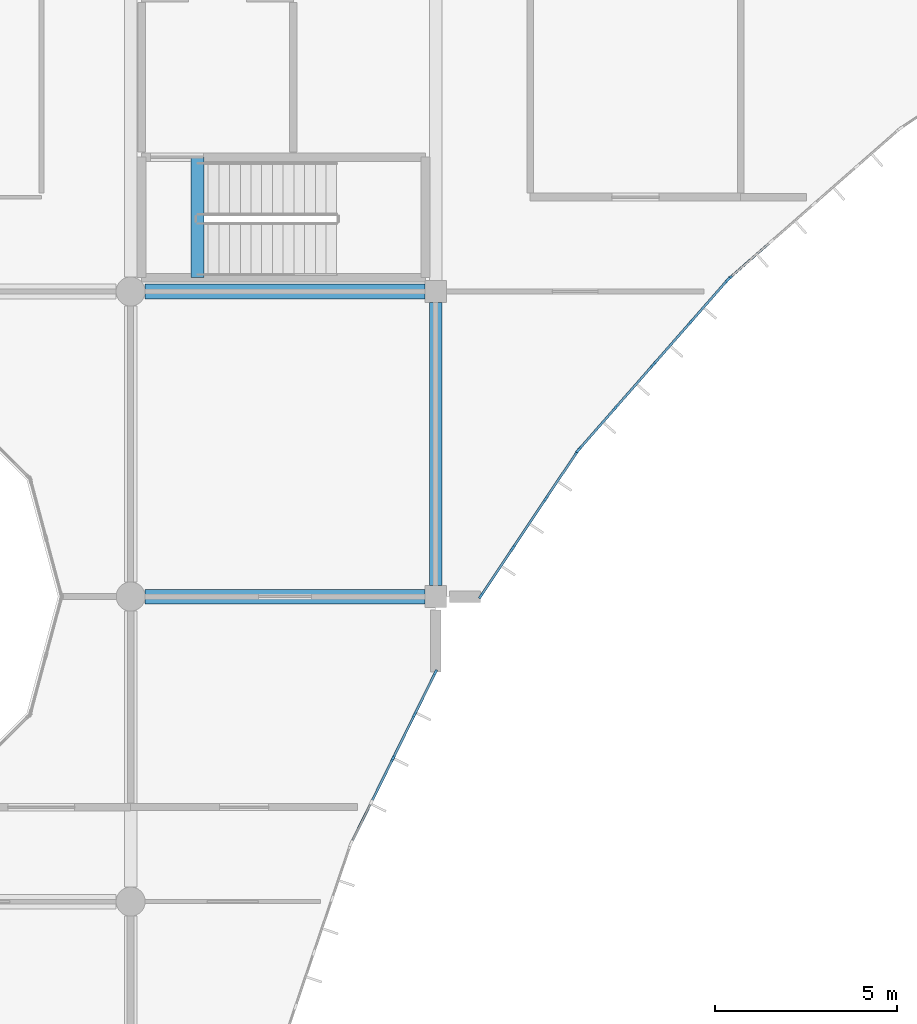
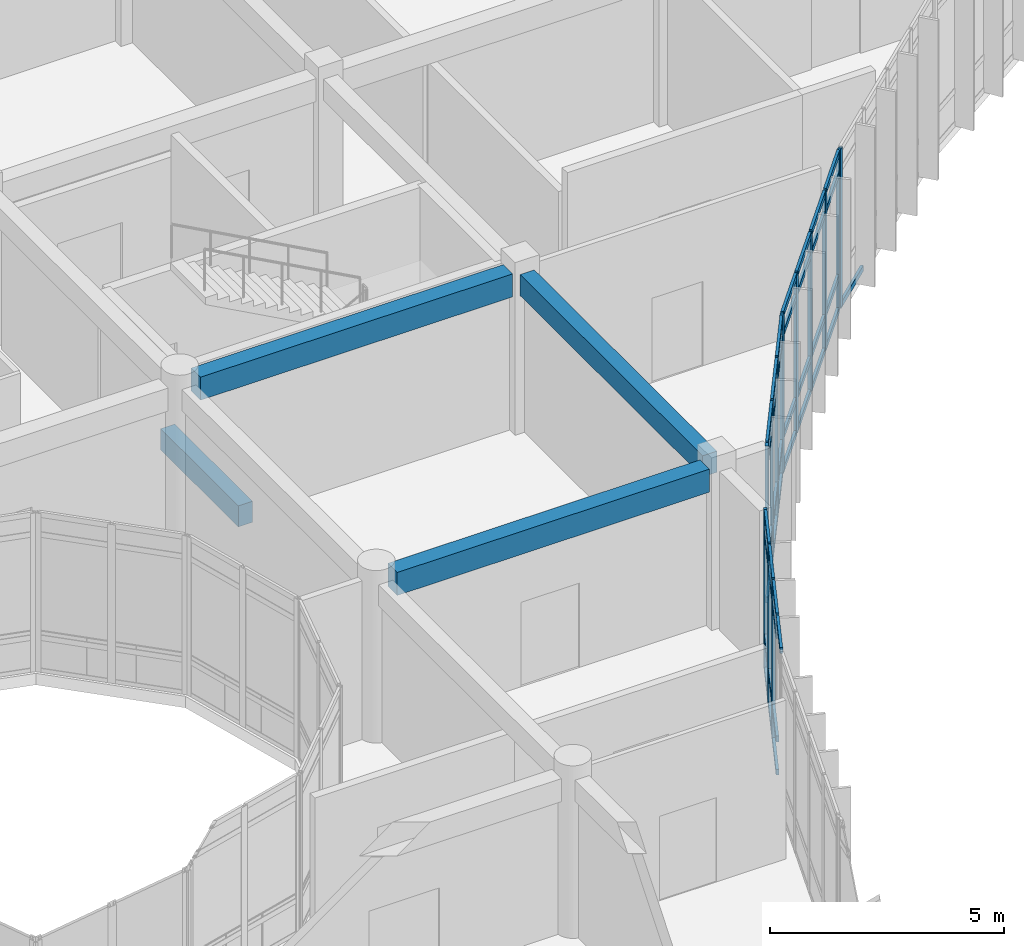
# One storey, part 63 of 144: 55 members, 4 beams, 4 elements without a shape of their own.
"""IFC4 building model written with IfcOpenShell, lengths in metres."""

import ifcopenshell
import ifcopenshell.guid

model = None  # the IFC model being written
_history = None  # IfcOwnerHistory: only IFC2X3 demands one
_inside = {}  # id of a spatial element -> (the spatial element, [elements in it])
_under = {}  # id of a project, library or spatial element -> (it, [spatial elements below it])
_declared = {}  # id of a project -> (the project, [libraries it declares])
_typed = {}  # id of a type object -> (the type object, [elements of that type])
_made_of = {}  # id of a material, layer set ... -> (it, [elements and type objects made of it])


def new_model(schema):
    """Start an empty IFC model of exactly this schema.

    Asked for "IFC4X3", IfcOpenShell would pick the latest addendum, in which some entities
    have other attributes; the version numbers below select the first issue.
    IFC2X3 requires an IfcOwnerHistory on every rooted entity: one is made here for all.
    """
    global model, _history
    if schema == "IFC4X3":
        model = ifcopenshell.file(schema_version=(4, 3, 0, 0))
    else:
        model = ifcopenshell.file(schema=schema)
    _inside.clear()
    _under.clear()
    _declared.clear()
    _typed.clear()
    _made_of.clear()
    _history = None
    if model.schema == "IFC2X3":
        org = make("IfcOrganization", Name="unknown")
        user = make(
            "IfcPersonAndOrganization",
            ThePerson=make("IfcPerson", FamilyName="unknown"),
            TheOrganization=org,
        )
        app = make(
            "IfcApplication",
            ApplicationDeveloper=org,
            Version="unknown",
            ApplicationFullName="unknown",
            ApplicationIdentifier="unknown",
        )
        _history = make(
            "IfcOwnerHistory",
            OwningUser=user,
            OwningApplication=app,
            ChangeAction="ADDED",
            CreationDate=0,
        )
    return model


def make(cls, **values):
    """One entity of the class cls with the attributes given. An attribute that is None is left unset."""
    return model.create_entity(
        cls, **{name: value for name, value in values.items() if value is not None}
    )


def rooted(cls, **values):
    """An entity with a GlobalId (a new one), such as an element, a storey or a relation."""
    return make(cls, GlobalId=ifcopenshell.guid.new(), OwnerHistory=_history, **values)


def si_unit(unit_type, name, prefix=None):
    """IfcSIUnit, for example si_unit("LENGTHUNIT", "METRE", prefix="MILLI")."""
    return make("IfcSIUnit", UnitType=unit_type, Prefix=prefix, Name=name)


def assignment(units):
    """IfcUnitAssignment: the units of a project."""
    return None if units is None else make("IfcUnitAssignment", Units=units)


def point(xyz):
    """IfcCartesianPoint."""
    return None if xyz is None else make("IfcCartesianPoint", Coordinates=xyz)


def direction(xyz):
    """IfcDirection."""
    return None if xyz is None else make("IfcDirection", DirectionRatios=xyz)


def frame(location, z_axis=None, x_axis=None):
    """IfcAxis2Placement3D, a coordinate frame: its origin and axes. An axis left out is left unset."""
    return make(
        "IfcAxis2Placement3D",
        Location=point(location),
        Axis=direction(z_axis),
        RefDirection=direction(x_axis),
    )


def frame_2d(location, x_axis=None):
    """IfcAxis2Placement2D, a coordinate frame in the plane: its origin and x axis."""
    return make(
        "IfcAxis2Placement2D", Location=point(location), RefDirection=direction(x_axis)
    )


def origin():
    """The frame at (0, 0, 0) with its axes left unset."""
    return frame((0.0, 0.0, 0.0))


def origin_2d():
    """The frame at (0, 0) in the plane with its x axis left unset."""
    return frame_2d((0.0, 0.0))


def place(relative_to, where):
    """IfcLocalPlacement: puts the frame where relative to a parent placement (None: the world)."""
    return make(
        "IfcLocalPlacement", PlacementRelTo=relative_to, RelativePlacement=where
    )


def context(
    kind, dimensions, precision=None, world=None, true_north=None, identifier=None
):
    """IfcGeometricRepresentationContext, for example the 3D "Model" context."""
    return make(
        "IfcGeometricRepresentationContext",
        ContextIdentifier=identifier,
        ContextType=kind,
        CoordinateSpaceDimension=dimensions,
        Precision=precision,
        WorldCoordinateSystem=world,
        TrueNorth=true_north,
    )


def subcontext(parent, identifier, kind, view, scale=None):
    """IfcGeometricRepresentationSubContext, for example "Body" below "Model"."""
    return make(
        "IfcGeometricRepresentationSubContext",
        ContextIdentifier=identifier,
        ContextType=kind,
        ParentContext=parent,
        TargetScale=scale,
        TargetView=view,
    )


def project(units=None, contexts=None):
    """IfcProject with its units and contexts."""
    return rooted(
        "IfcProject",
        Name="project",
        RepresentationContexts=contexts,
        UnitsInContext=assignment(units),
    )


def spatial(cls, under=None, at=None, **own):
    """A site, building, storey or space (cls), placed at a placement, below another one or the project."""
    s = rooted(cls, ObjectPlacement=at, **own)
    if under is not None:
        _under.setdefault(under.id(), (under, []))[1].append(s)
    return s


def profile(cls, at=None, kind="AREA", **sizes):
    """A parametric profile (cls). Its sizes go by their IFC names, for example OverallWidth=200.0."""
    return make(cls, ProfileType=kind, Position=at, **sizes)


def rectangle(**sizes):
    """IfcRectangleProfileDef."""
    return profile("IfcRectangleProfileDef", **sizes)


def extrude(swept, where, along, depth):
    """IfcExtrudedAreaSolid: the profile swept, set in the frame where, extruded along a direction by depth."""
    return make(
        "IfcExtrudedAreaSolid",
        SweptArea=swept,
        Position=where,
        ExtrudedDirection=direction(along),
        Depth=depth,
    )


def shape(context_of_items, identifier, shape_type, items):
    """IfcShapeRepresentation: the items that make up one representation, for example the "Body"."""
    return make(
        "IfcShapeRepresentation",
        ContextOfItems=context_of_items,
        RepresentationIdentifier=identifier,
        RepresentationType=shape_type,
        Items=items,
    )


def material(Name=None, Category=None):
    """IfcMaterial."""
    return make("IfcMaterial", Name=Name, Category=Category)


def layer(
    of_material, thickness, ventilated=None, Name=None, Category=None, Priority=None
):
    """IfcMaterialLayer: one layer of a wall or slab, of a material (None: an air gap)."""
    return make(
        "IfcMaterialLayer",
        Material=of_material,
        LayerThickness=thickness,
        IsVentilated=ventilated,
        Name=Name,
        Category=Category,
        Priority=Priority,
    )


def layer_set(layers, Name=None):
    """IfcMaterialLayerSet."""
    return make("IfcMaterialLayerSet", MaterialLayers=layers, LayerSetName=Name)


def material_profile(
    of_material, cross_section, Name=None, Category=None, Priority=None
):
    """IfcMaterialProfile: a cross section and its material."""
    return make(
        "IfcMaterialProfile",
        Name=Name,
        Material=of_material,
        Profile=cross_section,
        Priority=Priority,
        Category=Category,
    )


def profile_set(profiles, Name=None, composite=None):
    """IfcMaterialProfileSet."""
    return make(
        "IfcMaterialProfileSet",
        Name=Name,
        MaterialProfiles=profiles,
        CompositeProfile=composite,
    )


def made_of(thing, what):
    """Note that an element or type object is made of a material, layer set ...; save() writes the relation."""
    if what is not None:
        _made_of.setdefault(what.id(), (what, []))[1].append(thing)
    return thing


def type_object(cls, material=None, **own):
    """A type object (cls), such as IfcWallType, which elements share."""
    return made_of(rooted(cls, **own), material)


def element(
    cls,
    number,
    at=None,
    inside=None,
    cuts=None,
    type_object=None,
    material=None,
    context=None,
    identifier="Body",
    shape_type=None,
    held_by="IfcProductDefinitionShape",
    body=None,
    shapes=None,
    **own,
):
    """One element of the class cls, such as IfcWall. Its Tag is "e" and its number.

    at: its placement. inside: the storey or other place that contains it. cuts: it is an
    opening in that element (IfcRelVoidsElement). A single representation is given by context,
    identifier, shape_type and body (its items); several are given by shapes. held_by: the class
    of the entity that holds the representations. save() writes the other relations.
    """
    e = rooted(cls, Tag="e%d" % number, ObjectPlacement=at, **own)
    if body is not None:
        shapes = [shape(context, identifier, shape_type, body)]
    if shapes is not None:
        e.Representation = make(held_by, Representations=shapes)
    if inside is not None:
        _inside.setdefault(inside.id(), (inside, []))[1].append(e)
    if cuts is not None:
        rooted(
            "IfcRelVoidsElement", RelatingBuildingElement=cuts, RelatedOpeningElement=e
        )
    if type_object is not None:
        _typed.setdefault(type_object.id(), (type_object, []))[1].append(e)
    return made_of(e, material)


def aggregate(whole, parts):
    """IfcRelAggregates: a whole, such as a stair, and the parts it consists of."""
    return rooted("IfcRelAggregates", RelatingObject=whole, RelatedObjects=parts)


def save(model, path):
    """Write the relations noted so far, then the file.

    IfcRelAggregates (storeys below a building ...), IfcRelContainedInSpatialStructure (elements
    in a storey), IfcRelDefinesByType, IfcRelAssociatesMaterial and IfcRelDeclares: one each for
    every whole, place, type object, material and project.
    """
    for whole, parts in _under.values():
        aggregate(whole, parts)
    for where, things in _inside.values():
        rooted(
            "IfcRelContainedInSpatialStructure",
            RelatedElements=things,
            RelatingStructure=where,
        )
    for kind, things in _typed.values():
        rooted("IfcRelDefinesByType", RelatedObjects=things, RelatingType=kind)
    for what, things in _made_of.values():
        rooted("IfcRelAssociatesMaterial", RelatedObjects=things, RelatingMaterial=what)
    for by, libraries in _declared.values():
        rooted("IfcRelDeclares", RelatingContext=by, RelatedDefinitions=libraries)
    model.write(path)


model = new_model("IFC4")

# Units and contexts
model_context = context("Model", 3, precision=1e-05, world=origin(), true_north=direction((0.0, 1.0)))
body_context = subcontext(model_context, "Body", "Model", "MODEL_VIEW")
ifc_project = project(units=[si_unit("LENGTHUNIT", "METRE"), si_unit("AREAUNIT", "SQUARE_METRE"), si_unit("VOLUMEUNIT", "CUBIC_METRE"), si_unit("PLANEANGLEUNIT", "RADIAN"), si_unit("MASSUNIT", "GRAM", prefix="KILO")], contexts=[model_context])

# Site, building, storey
site_placement = place(None, origin())
site = spatial("IfcSite", under=ifc_project, at=site_placement, CompositionType="ELEMENT")
building_placement = place(site_placement, origin())
building = spatial("IfcBuilding", under=site, at=building_placement, Name="Bramfleet General Hospital", CompositionType="ELEMENT")
storey_placement = place(building_placement, frame((0.0, 0.0, 4.800048828125)))
storey = spatial("IfcBuildingStorey", under=building, at=storey_placement, Name="L01", CompositionType="ELEMENT", Elevation=4.800048828125)

# Beams
ifc_material_1 = material(Name="Concrete C35/45", Category="concrete")
ifc_material_profile_1 = material_profile(ifc_material_1, rectangle(XDim=0.35009765625, YDim=0.550048828125, at=origin_2d()), Name="RC BM 550x350")
ifc_profile_set_1 = profile_set([ifc_material_profile_1], Name="Concrete C35/45")
beam_type_1 = type_object("IfcBeamType", Name="BM-RC550", PredefinedType="BEAM", material=ifc_profile_set_1)
beam_1_placement = place(storey_placement, frame((134.39990234375, 67.5, 3.875), z_axis=(0.0, 1.0, 0.0), x_axis=(-1.0, 0.0, 0.0)))
element("IfcBeam", 1, at=beam_1_placement, inside=storey, type_object=beam_type_1, Name="L01 Grid Beam Y 16-08", PredefinedType="BEAM", context=body_context, shape_type="SweptSolid", body=[
    extrude(rectangle(XDim=0.35009765625, YDim=0.550048828125, at=origin_2d()), origin(), (0.0, 0.0, 1.0), 7.800048828125),
])
beam_2_placement = place(storey_placement, frame((127.840087890625, 75.97998046875, -0.275146484375), z_axis=(0.0, 1.0, 0.0), x_axis=(-1.0, 0.0, 0.0)))
element("IfcBeam", 2, at=beam_2_placement, inside=storey, type_object=beam_type_1, Name="L01 C12 Stairwell Trimmer Beam", PredefinedType="BEAM", context=body_context, shape_type="SweptSolid", body=[
    extrude(rectangle(XDim=0.35009765625, YDim=0.550048828125, at=origin_2d()), origin(), (0.0, 0.0, 1.0), 3.320068359375),
])
ifc_material_profile_2 = material_profile(ifc_material_1, rectangle(XDim=0.39990234375, YDim=0.60009765625, at=origin_2d()), Name="RC BM 600x400")
ifc_profile_set_2 = profile_set([ifc_material_profile_2], Name="Concrete C35/45")
beam_type_2 = type_object("IfcBeamType", Name="BM-RC600", PredefinedType="BEAM", material=ifc_profile_set_2)
for number, where, z_axis, x_axis, name in (
    (3, (126.39990234375, 67.199951171875, 3.849853515625), (1.0, 0.0, 0.0), (0.0, 1.0, 0.0), "L01 Grid Beam X 15-08"),
    (4, (126.39990234375, 75.60009765625, 3.849853515625), (1.0, 0.0, 0.0), (0.0, 1.0, 0.0), "L01 Grid Beam X 15-09"),
):
    element("IfcBeam", number, at=place(storey_placement, frame(where, z_axis=z_axis, x_axis=x_axis)), inside=storey, type_object=beam_type_2, Name=name, PredefinedType="BEAM", context=body_context, shape_type="SweptSolid", body=[
        extrude(rectangle(XDim=0.39990234375, YDim=0.60009765625, at=origin_2d()), origin(), (0.0, 0.0, 1.0), 7.7001953125),
    ])

# Curtain wall, member
ifc_material_2 = material(Name="Anodised aluminium and low-E triple glazing", Category="aluminium")
ifc_layer_1 = layer(ifc_material_2, 0.179931640625, Name="CWT-CW-02")
ifc_layer_set_1 = layer_set([ifc_layer_1], Name="Anodised aluminium and low-E triple glazing")
curtain_wall_type_1 = type_object("IfcCurtainWallType", Name="CWT-CW-02", PredefinedType="USERDEFINED", material=ifc_layer_set_1)
curtain_wall_1_placement = place(storey_placement, origin())
curtain_wall_1 = element("IfcCurtainWall", 5, at=curtain_wall_1_placement, inside=storey, type_object=curtain_wall_type_1, Name="L01 Curtain Wall 56", ObjectType="Unitised curtain wall", PredefinedType="USERDEFINED")
ifc_material_3 = material(Name="Structural timber GL28h", Category="wood")
ifc_material_profile_3 = material_profile(ifc_material_3, rectangle(XDim=0.070068359375, YDim=0.18994140625, at=origin_2d()), Name="LARCH 190x70")
ifc_profile_set_3 = profile_set([ifc_material_profile_3], Name="Structural timber GL28h")
member_type_1 = type_object("IfcMemberType", Name="CWM-LARCH450", PredefinedType="MULLION", material=ifc_profile_set_3)
member_1_placement = place(storey_placement, frame((142.4853515625, 75.964111328125, 0.0), z_axis=(0.0, 0.0, 1.0), x_axis=(0.659406233864, -0.75178681735, 0.0)))
member_1 = element("IfcMember", 6, at=member_1_placement, type_object=member_type_1, Name="CW-02 mullion 5", PredefinedType="MULLION", context=body_context, shape_type="SweptSolid", body=[
    extrude(rectangle(XDim=0.070068359375, YDim=0.18994140625, at=origin_2d()), origin(), (0.0, 0.0, 1.0), 4.139892578125),
])

# Curtain wall, members
ifc_layer_2 = layer(ifc_material_2, 0.179931640625, Name="CWT-CW-03")
ifc_layer_set_2 = layer_set([ifc_layer_2], Name="Anodised aluminium and low-E triple glazing")
curtain_wall_type_2 = type_object("IfcCurtainWallType", Name="CWT-CW-03", PredefinedType="USERDEFINED", material=ifc_layer_set_2)
curtain_wall_2_placement = place(storey_placement, origin())
curtain_wall_2 = element("IfcCurtainWall", 7, at=curtain_wall_2_placement, inside=storey, type_object=curtain_wall_type_2, Name="L01 Curtain Wall 57", ObjectType="Unitised curtain wall", PredefinedType="USERDEFINED")
member_2_placement = place(storey_placement, frame((142.43603515625, 75.914794921875, 0.0), z_axis=(0.0, 0.0, 1.0), x_axis=(0.75178681735, -0.659406233864, 0.0)))
member_2 = element("IfcMember", 8, at=member_2_placement, type_object=member_type_1, Name="CW-03 mullion 1", PredefinedType="MULLION", context=body_context, shape_type="SweptSolid", body=[
    extrude(rectangle(XDim=0.070068359375, YDim=0.18994140625, at=origin_2d()), origin(), (0.0, 0.0, 1.0), 4.139892578125),
])
member_3_placement = place(storey_placement, frame((141.424072265625, 74.760986328125, 0.0), z_axis=(0.0, 0.0, 1.0), x_axis=(0.75178681735, -0.659406233864, 0.0)))
member_3 = element("IfcMember", 9, at=member_3_placement, type_object=member_type_1, Name="CW-03 mullion 2", PredefinedType="MULLION", context=body_context, shape_type="SweptSolid", body=[
    extrude(rectangle(XDim=0.070068359375, YDim=0.18994140625, at=origin_2d()), origin(), (0.0, 0.0, 1.0), 4.139892578125),
])
member_4_placement = place(storey_placement, frame((140.388916015625, 73.5810546875, 0.0), z_axis=(0.0, 0.0, 1.0), x_axis=(0.75178681735, -0.659406233864, 0.0)))
member_4 = element("IfcMember", 10, at=member_4_placement, type_object=member_type_1, Name="CW-03 mullion 3", PredefinedType="MULLION", context=body_context, shape_type="SweptSolid", body=[
    extrude(rectangle(XDim=0.070068359375, YDim=0.18994140625, at=origin_2d()), origin(), (0.0, 0.0, 1.0), 4.139892578125),
])
member_5_placement = place(storey_placement, frame((139.35400390625, 72.40087890625, 0.0), z_axis=(0.0, 0.0, 1.0), x_axis=(0.75178681735, -0.659406233864, 0.0)))
member_5 = element("IfcMember", 11, at=member_5_placement, type_object=member_type_1, Name="CW-03 mullion 4", PredefinedType="MULLION", context=body_context, shape_type="SweptSolid", body=[
    extrude(rectangle(XDim=0.070068359375, YDim=0.18994140625, at=origin_2d()), origin(), (0.0, 0.0, 1.0), 4.139892578125),
])
member_6_placement = place(storey_placement, frame((138.342041015625, 71.247314453125, 0.0), z_axis=(0.0, 0.0, 1.0), x_axis=(0.75178681735, -0.659406233864, 0.0)))
member_6 = element("IfcMember", 12, at=member_6_placement, type_object=member_type_1, Name="CW-03 mullion 5", PredefinedType="MULLION", context=body_context, shape_type="SweptSolid", body=[
    extrude(rectangle(XDim=0.070068359375, YDim=0.18994140625, at=origin_2d()), origin(), (0.0, 0.0, 1.0), 4.139892578125),
])

ifc_layer_3 = layer(ifc_material_2, 0.179931640625, Name="CWT-CW-04")
ifc_layer_set_3 = layer_set([ifc_layer_3], Name="Anodised aluminium and low-E triple glazing")
curtain_wall_type_3 = type_object("IfcCurtainWallType", Name="CWT-CW-04", PredefinedType="USERDEFINED", material=ifc_layer_set_3)
curtain_wall_3_placement = place(storey_placement, origin())
curtain_wall_3 = element("IfcCurtainWall", 13, at=curtain_wall_3_placement, inside=storey, type_object=curtain_wall_type_3, Name="L01 Curtain Wall 58", ObjectType="Unitised curtain wall", PredefinedType="USERDEFINED")
member_7_placement = place(storey_placement, frame((138.299560546875, 71.19189453125, 0.0), z_axis=(0.0, 0.0, 1.0), x_axis=(0.831540898988, -0.555463530135, 0.0)))
member_7 = element("IfcMember", 14, at=member_7_placement, type_object=member_type_1, Name="CW-04 mullion 1", PredefinedType="MULLION", context=body_context, shape_type="SweptSolid", body=[
    extrude(rectangle(XDim=0.070068359375, YDim=0.18994140625, at=origin_2d()), origin(), (0.0, 0.0, 1.0), 4.139892578125),
])
member_8_placement = place(storey_placement, frame((137.423583984375, 69.880615234375, 0.0), z_axis=(0.0, 0.0, 1.0), x_axis=(0.831540898988, -0.555463530135, 0.0)))
member_8 = element("IfcMember", 15, at=member_8_placement, type_object=member_type_1, Name="CW-04 mullion 2", PredefinedType="MULLION", context=body_context, shape_type="SweptSolid", body=[
    extrude(rectangle(XDim=0.070068359375, YDim=0.18994140625, at=origin_2d()), origin(), (0.0, 0.0, 1.0), 4.139892578125),
])
member_9_placement = place(storey_placement, frame((136.5283203125, 68.540283203125, 0.0), z_axis=(0.0, 0.0, 1.0), x_axis=(0.831540898988, -0.555463530135, 0.0)))
member_9 = element("IfcMember", 16, at=member_9_placement, type_object=member_type_1, Name="CW-04 mullion 3", PredefinedType="MULLION", context=body_context, shape_type="SweptSolid", body=[
    extrude(rectangle(XDim=0.070068359375, YDim=0.18994140625, at=origin_2d()), origin(), (0.0, 0.0, 1.0), 4.139892578125),
])
member_10_placement = place(storey_placement, frame((135.65234375, 67.22900390625, 0.0), z_axis=(0.0, 0.0, 1.0), x_axis=(0.831540898988, -0.555463530135, 0.0)))
member_10 = element("IfcMember", 17, at=member_10_placement, type_object=member_type_1, Name="CW-04 mullion 4", PredefinedType="MULLION", context=body_context, shape_type="SweptSolid", body=[
    extrude(rectangle(XDim=0.070068359375, YDim=0.18994140625, at=origin_2d()), origin(), (0.0, 0.0, 1.0), 4.139892578125),
])

ifc_layer_4 = layer(ifc_material_2, 0.179931640625, Name="CWT-CW-05")
ifc_layer_set_4 = layer_set([ifc_layer_4], Name="Anodised aluminium and low-E triple glazing")
curtain_wall_type_4 = type_object("IfcCurtainWallType", Name="CWT-CW-05", PredefinedType="USERDEFINED", material=ifc_layer_set_4)
curtain_wall_4_placement = place(storey_placement, origin())
curtain_wall_4 = element("IfcCurtainWall", 18, at=curtain_wall_4_placement, inside=storey, type_object=curtain_wall_type_4, Name="L01 Curtain Wall 59", ObjectType="Unitised curtain wall", PredefinedType="USERDEFINED")
member_11_placement = place(storey_placement, frame((134.384521484375, 65.0947265625, 0.0), z_axis=(0.0, 0.0, 1.0), x_axis=(0.896864723513, -0.442304948782, 0.0)))
member_11 = element("IfcMember", 19, at=member_11_placement, type_object=member_type_1, Name="CW-05 mullion 1", PredefinedType="MULLION", context=body_context, shape_type="SweptSolid", body=[
    extrude(rectangle(XDim=0.070068359375, YDim=0.18994140625, at=origin_2d()), origin(), (0.0, 0.0, 1.0), 4.139892578125),
])
member_12_placement = place(storey_placement, frame((133.8134765625, 63.936767578125, 0.0), z_axis=(0.0, 0.0, 1.0), x_axis=(0.896864723513, -0.442304948782, 0.0)))
member_12 = element("IfcMember", 20, at=member_12_placement, type_object=member_type_1, Name="CW-05 mullion 2", PredefinedType="MULLION", context=body_context, shape_type="SweptSolid", body=[
    extrude(rectangle(XDim=0.070068359375, YDim=0.18994140625, at=origin_2d()), origin(), (0.0, 0.0, 1.0), 4.139892578125),
])
member_13_placement = place(storey_placement, frame((133.22705078125, 62.74755859375, 0.0), z_axis=(0.0, 0.0, 1.0), x_axis=(0.896864723513, -0.442304948782, 0.0)))
member_13 = element("IfcMember", 21, at=member_13_placement, type_object=member_type_1, Name="CW-05 mullion 3", PredefinedType="MULLION", context=body_context, shape_type="SweptSolid", body=[
    extrude(rectangle(XDim=0.070068359375, YDim=0.18994140625, at=origin_2d()), origin(), (0.0, 0.0, 1.0), 4.139892578125),
])

# Member
ifc_material_profile_4 = material_profile(ifc_material_3, rectangle(XDim=0.06494140625, YDim=0.14990234375, at=origin_2d()), Name="LARCH 150x65")
ifc_profile_set_4 = profile_set([ifc_material_profile_4], Name="Structural timber GL28h")
member_type_2 = type_object("IfcMemberType", Name="CWT-LARCH220", PredefinedType="USERDEFINED", material=ifc_profile_set_4)
member_14_placement = place(storey_placement, frame((143.61279296875, 76.952880859375, 0.032470703125), z_axis=(-0.75177071058, -0.659424596686, 0.0), x_axis=(0.659424596686, -0.75177071058, 0.0)))
member_14 = element("IfcMember", 22, at=member_14_placement, type_object=member_type_2, Name="CW-02 transom 4.1", ObjectType="TRANSOM", PredefinedType="USERDEFINED", context=body_context, shape_type="SweptSolid", body=[
    extrude(rectangle(XDim=0.06494140625, YDim=0.14990234375, at=origin_2d()), origin(), (0.0, 0.0, 1.0), 1.464599609375),
])

aggregate(curtain_wall_1, [member_1, member_14])

member_15_placement = place(storey_placement, frame((142.412841796875, 75.888427734375, 0.032470703125), z_axis=(-0.659424596686, -0.75177071058, 0.0), x_axis=(0.75177071058, -0.659424596686, 0.0)))
member_15 = element("IfcMember", 23, at=member_15_placement, type_object=member_type_2, Name="CW-03 transom 1.1", ObjectType="TRANSOM", PredefinedType="USERDEFINED", context=body_context, shape_type="SweptSolid", body=[
    extrude(rectangle(XDim=0.06494140625, YDim=0.14990234375, at=origin_2d()), origin(), (0.0, 0.0, 1.0), 1.464599609375),
])

member_16_placement = place(storey_placement, frame((142.412841796875, 75.888427734375, 0.89990234375), z_axis=(-0.659424596686, -0.75177071058, 0.0), x_axis=(0.75177071058, -0.659424596686, 0.0)))
member_16 = element("IfcMember", 24, at=member_16_placement, type_object=member_type_2, Name="CW-03 transom 1.2", ObjectType="TRANSOM", PredefinedType="USERDEFINED", context=body_context, shape_type="SweptSolid", body=[
    extrude(rectangle(XDim=0.06494140625, YDim=0.14990234375, at=origin_2d()), origin(), (0.0, 0.0, 1.0), 1.464599609375),
])

member_17_placement = place(storey_placement, frame((142.412841796875, 75.888427734375, 3.58984375), z_axis=(-0.659424596686, -0.75177071058, 0.0), x_axis=(0.75177071058, -0.659424596686, 0.0)))
member_17 = element("IfcMember", 25, at=member_17_placement, type_object=member_type_2, Name="CW-03 transom 1.3", ObjectType="TRANSOM", PredefinedType="USERDEFINED", context=body_context, shape_type="SweptSolid", body=[
    extrude(rectangle(XDim=0.06494140625, YDim=0.14990234375, at=origin_2d()), origin(), (0.0, 0.0, 1.0), 1.464599609375),
])

member_18_placement = place(storey_placement, frame((142.412841796875, 75.888427734375, 4.107421875), z_axis=(-0.659424596686, -0.75177071058, 0.0), x_axis=(0.75177071058, -0.659424596686, 0.0)))
member_18 = element("IfcMember", 26, at=member_18_placement, type_object=member_type_2, Name="CW-03 transom 1.4", ObjectType="TRANSOM", PredefinedType="USERDEFINED", context=body_context, shape_type="SweptSolid", body=[
    extrude(rectangle(XDim=0.06494140625, YDim=0.14990234375, at=origin_2d()), origin(), (0.0, 0.0, 1.0), 1.464599609375),
])

member_19_placement = place(storey_placement, frame((141.40087890625, 74.734619140625, 0.032470703125), z_axis=(-0.659437818308, -0.751759112871, 0.0), x_axis=(0.751759112871, -0.659437818308, 0.0)))
member_19 = element("IfcMember", 27, at=member_19_placement, type_object=member_type_2, Name="CW-03 transom 2.1", ObjectType="TRANSOM", PredefinedType="USERDEFINED", context=body_context, shape_type="SweptSolid", body=[
    extrude(rectangle(XDim=0.06494140625, YDim=0.14990234375, at=origin_2d()), origin(), (0.0, 0.0, 1.0), 1.49951171875),
])

member_20_placement = place(storey_placement, frame((141.40087890625, 74.734619140625, 0.89990234375), z_axis=(-0.659437818308, -0.751759112871, 0.0), x_axis=(0.751759112871, -0.659437818308, 0.0)))
member_20 = element("IfcMember", 28, at=member_20_placement, type_object=member_type_2, Name="CW-03 transom 2.2", ObjectType="TRANSOM", PredefinedType="USERDEFINED", context=body_context, shape_type="SweptSolid", body=[
    extrude(rectangle(XDim=0.06494140625, YDim=0.14990234375, at=origin_2d()), origin(), (0.0, 0.0, 1.0), 1.49951171875),
])

member_21_placement = place(storey_placement, frame((141.40087890625, 74.734619140625, 3.58984375), z_axis=(-0.659437818308, -0.751759112871, 0.0), x_axis=(0.751759112871, -0.659437818308, 0.0)))
member_21 = element("IfcMember", 29, at=member_21_placement, type_object=member_type_2, Name="CW-03 transom 2.3", ObjectType="TRANSOM", PredefinedType="USERDEFINED", context=body_context, shape_type="SweptSolid", body=[
    extrude(rectangle(XDim=0.06494140625, YDim=0.14990234375, at=origin_2d()), origin(), (0.0, 0.0, 1.0), 1.49951171875),
])

member_22_placement = place(storey_placement, frame((141.40087890625, 74.734619140625, 4.107421875), z_axis=(-0.659437818308, -0.751759112871, 0.0), x_axis=(0.751759112871, -0.659437818308, 0.0)))
member_22 = element("IfcMember", 30, at=member_22_placement, type_object=member_type_2, Name="CW-03 transom 2.4", ObjectType="TRANSOM", PredefinedType="USERDEFINED", context=body_context, shape_type="SweptSolid", body=[
    extrude(rectangle(XDim=0.06494140625, YDim=0.14990234375, at=origin_2d()), origin(), (0.0, 0.0, 1.0), 1.49951171875),
])

member_23_placement = place(storey_placement, frame((140.365966796875, 73.5546875, 0.032470703125), z_axis=(-0.659357106204, -0.751829905296, 0.0), x_axis=(0.751829905296, -0.659357106204, 0.0)))
member_23 = element("IfcMember", 31, at=member_23_placement, type_object=member_type_2, Name="CW-03 transom 3.1", ObjectType="TRANSOM", PredefinedType="USERDEFINED", context=body_context, shape_type="SweptSolid", body=[
    extrude(rectangle(XDim=0.06494140625, YDim=0.14990234375, at=origin_2d()), origin(), (0.0, 0.0, 1.0), 1.49951171875),
])

member_24_placement = place(storey_placement, frame((140.365966796875, 73.5546875, 0.89990234375), z_axis=(-0.659357106204, -0.751829905296, 0.0), x_axis=(0.751829905296, -0.659357106204, 0.0)))
member_24 = element("IfcMember", 32, at=member_24_placement, type_object=member_type_2, Name="CW-03 transom 3.2", ObjectType="TRANSOM", PredefinedType="USERDEFINED", context=body_context, shape_type="SweptSolid", body=[
    extrude(rectangle(XDim=0.06494140625, YDim=0.14990234375, at=origin_2d()), origin(), (0.0, 0.0, 1.0), 1.49951171875),
])

member_25_placement = place(storey_placement, frame((140.365966796875, 73.5546875, 3.58984375), z_axis=(-0.659357106204, -0.751829905296, 0.0), x_axis=(0.751829905296, -0.659357106204, 0.0)))
member_25 = element("IfcMember", 33, at=member_25_placement, type_object=member_type_2, Name="CW-03 transom 3.3", ObjectType="TRANSOM", PredefinedType="USERDEFINED", context=body_context, shape_type="SweptSolid", body=[
    extrude(rectangle(XDim=0.06494140625, YDim=0.14990234375, at=origin_2d()), origin(), (0.0, 0.0, 1.0), 1.49951171875),
])

member_26_placement = place(storey_placement, frame((140.365966796875, 73.5546875, 4.107421875), z_axis=(-0.659357106204, -0.751829905296, 0.0), x_axis=(0.751829905296, -0.659357106204, 0.0)))
member_26 = element("IfcMember", 34, at=member_26_placement, type_object=member_type_2, Name="CW-03 transom 3.4", ObjectType="TRANSOM", PredefinedType="USERDEFINED", context=body_context, shape_type="SweptSolid", body=[
    extrude(rectangle(XDim=0.06494140625, YDim=0.14990234375, at=origin_2d()), origin(), (0.0, 0.0, 1.0), 1.49951171875),
])

member_27_placement = place(storey_placement, frame((139.330810546875, 72.374755859375, 0.032470703125), z_axis=(-0.659330374914, -0.751853347879, 0.0), x_axis=(0.751853347879, -0.659330374914, 0.0)))
member_27 = element("IfcMember", 35, at=member_27_placement, type_object=member_type_2, Name="CW-03 transom 4.1", ObjectType="TRANSOM", PredefinedType="USERDEFINED", context=body_context, shape_type="SweptSolid", body=[
    extrude(rectangle(XDim=0.06494140625, YDim=0.14990234375, at=origin_2d()), origin(), (0.0, 0.0, 1.0), 1.464599609375),
])

member_28_placement = place(storey_placement, frame((139.330810546875, 72.374755859375, 0.89990234375), z_axis=(-0.659330374914, -0.751853347879, 0.0), x_axis=(0.751853347879, -0.659330374914, 0.0)))
member_28 = element("IfcMember", 36, at=member_28_placement, type_object=member_type_2, Name="CW-03 transom 4.2", ObjectType="TRANSOM", PredefinedType="USERDEFINED", context=body_context, shape_type="SweptSolid", body=[
    extrude(rectangle(XDim=0.06494140625, YDim=0.14990234375, at=origin_2d()), origin(), (0.0, 0.0, 1.0), 1.464599609375),
])

member_29_placement = place(storey_placement, frame((139.330810546875, 72.374755859375, 3.58984375), z_axis=(-0.659330374914, -0.751853347879, 0.0), x_axis=(0.751853347879, -0.659330374914, 0.0)))
member_29 = element("IfcMember", 37, at=member_29_placement, type_object=member_type_2, Name="CW-03 transom 4.3", ObjectType="TRANSOM", PredefinedType="USERDEFINED", context=body_context, shape_type="SweptSolid", body=[
    extrude(rectangle(XDim=0.06494140625, YDim=0.14990234375, at=origin_2d()), origin(), (0.0, 0.0, 1.0), 1.464599609375),
])

member_30_placement = place(storey_placement, frame((139.330810546875, 72.374755859375, 4.107421875), z_axis=(-0.659330374914, -0.751853347879, 0.0), x_axis=(0.751853347879, -0.659330374914, 0.0)))
member_30 = element("IfcMember", 38, at=member_30_placement, type_object=member_type_2, Name="CW-03 transom 4.4", ObjectType="TRANSOM", PredefinedType="USERDEFINED", context=body_context, shape_type="SweptSolid", body=[
    extrude(rectangle(XDim=0.06494140625, YDim=0.14990234375, at=origin_2d()), origin(), (0.0, 0.0, 1.0), 1.464599609375),
])

aggregate(curtain_wall_2, [member_2, member_3, member_4, member_5, member_6, member_15, member_16, member_17, member_18, member_19, member_20, member_21, member_22, member_23, member_24, member_25, member_26, member_27, member_28, member_29, member_30])

member_31_placement = place(storey_placement, frame((138.280029296875, 71.162841796875, 0.032470703125), z_axis=(-0.555372982682, -0.831601376927, 0.0), x_axis=(0.831601376927, -0.555372982682, 0.0)))
member_31 = element("IfcMember", 39, at=member_31_placement, type_object=member_type_2, Name="CW-04 transom 1.1", ObjectType="TRANSOM", PredefinedType="USERDEFINED", context=body_context, shape_type="SweptSolid", body=[
    extrude(rectangle(XDim=0.06494140625, YDim=0.14990234375, at=origin_2d()), origin(), (0.0, 0.0, 1.0), 1.5068359375),
])

member_32_placement = place(storey_placement, frame((138.280029296875, 71.162841796875, 0.89990234375), z_axis=(-0.555372982682, -0.831601376927, 0.0), x_axis=(0.831601376927, -0.555372982682, 0.0)))
member_32 = element("IfcMember", 40, at=member_32_placement, type_object=member_type_2, Name="CW-04 transom 1.2", ObjectType="TRANSOM", PredefinedType="USERDEFINED", context=body_context, shape_type="SweptSolid", body=[
    extrude(rectangle(XDim=0.06494140625, YDim=0.14990234375, at=origin_2d()), origin(), (0.0, 0.0, 1.0), 1.5068359375),
])

member_33_placement = place(storey_placement, frame((138.280029296875, 71.162841796875, 3.58984375), z_axis=(-0.555372982682, -0.831601376927, 0.0), x_axis=(0.831601376927, -0.555372982682, 0.0)))
member_33 = element("IfcMember", 41, at=member_33_placement, type_object=member_type_2, Name="CW-04 transom 1.3", ObjectType="TRANSOM", PredefinedType="USERDEFINED", context=body_context, shape_type="SweptSolid", body=[
    extrude(rectangle(XDim=0.06494140625, YDim=0.14990234375, at=origin_2d()), origin(), (0.0, 0.0, 1.0), 1.5068359375),
])

member_34_placement = place(storey_placement, frame((138.280029296875, 71.162841796875, 4.107421875), z_axis=(-0.555372982682, -0.831601376927, 0.0), x_axis=(0.831601376927, -0.555372982682, 0.0)))
member_34 = element("IfcMember", 42, at=member_34_placement, type_object=member_type_2, Name="CW-04 transom 1.4", ObjectType="TRANSOM", PredefinedType="USERDEFINED", context=body_context, shape_type="SweptSolid", body=[
    extrude(rectangle(XDim=0.06494140625, YDim=0.14990234375, at=origin_2d()), origin(), (0.0, 0.0, 1.0), 1.5068359375),
])

member_35_placement = place(storey_placement, frame((137.404296875, 69.8515625, 0.032470703125), z_axis=(-0.555430748118, -0.831562796213, 0.0), x_axis=(0.831562796213, -0.555430748118, 0.0)))
member_35 = element("IfcMember", 43, at=member_35_placement, type_object=member_type_2, Name="CW-04 transom 2.1", ObjectType="TRANSOM", PredefinedType="USERDEFINED", context=body_context, shape_type="SweptSolid", body=[
    extrude(rectangle(XDim=0.06494140625, YDim=0.14990234375, at=origin_2d()), origin(), (0.0, 0.0, 1.0), 1.5419921875),
])

member_36_placement = place(storey_placement, frame((137.404296875, 69.8515625, 0.89990234375), z_axis=(-0.555430748118, -0.831562796213, 0.0), x_axis=(0.831562796213, -0.555430748118, 0.0)))
member_36 = element("IfcMember", 44, at=member_36_placement, type_object=member_type_2, Name="CW-04 transom 2.2", ObjectType="TRANSOM", PredefinedType="USERDEFINED", context=body_context, shape_type="SweptSolid", body=[
    extrude(rectangle(XDim=0.06494140625, YDim=0.14990234375, at=origin_2d()), origin(), (0.0, 0.0, 1.0), 1.5419921875),
])

member_37_placement = place(storey_placement, frame((137.404296875, 69.8515625, 3.58984375), z_axis=(-0.555430748118, -0.831562796213, 0.0), x_axis=(0.831562796213, -0.555430748118, 0.0)))
member_37 = element("IfcMember", 45, at=member_37_placement, type_object=member_type_2, Name="CW-04 transom 2.3", ObjectType="TRANSOM", PredefinedType="USERDEFINED", context=body_context, shape_type="SweptSolid", body=[
    extrude(rectangle(XDim=0.06494140625, YDim=0.14990234375, at=origin_2d()), origin(), (0.0, 0.0, 1.0), 1.5419921875),
])

member_38_placement = place(storey_placement, frame((137.404296875, 69.8515625, 4.107421875), z_axis=(-0.555430748118, -0.831562796213, 0.0), x_axis=(0.831562796213, -0.555430748118, 0.0)))
member_38 = element("IfcMember", 46, at=member_38_placement, type_object=member_type_2, Name="CW-04 transom 2.4", ObjectType="TRANSOM", PredefinedType="USERDEFINED", context=body_context, shape_type="SweptSolid", body=[
    extrude(rectangle(XDim=0.06494140625, YDim=0.14990234375, at=origin_2d()), origin(), (0.0, 0.0, 1.0), 1.5419921875),
])

member_39_placement = place(storey_placement, frame((136.5087890625, 68.51123046875, 0.032470703125), z_axis=(-0.555447815026, -0.831551396357, 0.0), x_axis=(0.831551396357, -0.555447815026, 0.0)))
member_39 = element("IfcMember", 47, at=member_39_placement, type_object=member_type_2, Name="CW-04 transom 3.1", ObjectType="TRANSOM", PredefinedType="USERDEFINED", context=body_context, shape_type="SweptSolid", body=[
    extrude(rectangle(XDim=0.06494140625, YDim=0.14990234375, at=origin_2d()), origin(), (0.0, 0.0, 1.0), 1.5068359375),
])

member_40_placement = place(storey_placement, frame((136.5087890625, 68.51123046875, 0.89990234375), z_axis=(-0.555447815026, -0.831551396357, 0.0), x_axis=(0.831551396357, -0.555447815026, 0.0)))
member_40 = element("IfcMember", 48, at=member_40_placement, type_object=member_type_2, Name="CW-04 transom 3.2", ObjectType="TRANSOM", PredefinedType="USERDEFINED", context=body_context, shape_type="SweptSolid", body=[
    extrude(rectangle(XDim=0.06494140625, YDim=0.14990234375, at=origin_2d()), origin(), (0.0, 0.0, 1.0), 1.5068359375),
])

member_41_placement = place(storey_placement, frame((136.5087890625, 68.51123046875, 3.58984375), z_axis=(-0.555447815026, -0.831551396357, 0.0), x_axis=(0.831551396357, -0.555447815026, 0.0)))
member_41 = element("IfcMember", 49, at=member_41_placement, type_object=member_type_2, Name="CW-04 transom 3.3", ObjectType="TRANSOM", PredefinedType="USERDEFINED", context=body_context, shape_type="SweptSolid", body=[
    extrude(rectangle(XDim=0.06494140625, YDim=0.14990234375, at=origin_2d()), origin(), (0.0, 0.0, 1.0), 1.5068359375),
])

member_42_placement = place(storey_placement, frame((136.5087890625, 68.51123046875, 4.107421875), z_axis=(-0.555447815026, -0.831551396357, 0.0), x_axis=(0.831551396357, -0.555447815026, 0.0)))
member_42 = element("IfcMember", 50, at=member_42_placement, type_object=member_type_2, Name="CW-04 transom 3.4", ObjectType="TRANSOM", PredefinedType="USERDEFINED", context=body_context, shape_type="SweptSolid", body=[
    extrude(rectangle(XDim=0.06494140625, YDim=0.14990234375, at=origin_2d()), origin(), (0.0, 0.0, 1.0), 1.5068359375),
])

aggregate(curtain_wall_3, [member_7, member_8, member_9, member_10, member_31, member_32, member_33, member_34, member_35, member_36, member_37, member_38, member_39, member_40, member_41, member_42])

member_43_placement = place(storey_placement, frame((134.369140625, 65.063232421875, 0.032470703125), z_axis=(-0.442327738397, -0.896853484046, 0.0), x_axis=(0.896853484046, -0.442327738397, 0.0)))
member_43 = element("IfcMember", 51, at=member_43_placement, type_object=member_type_2, Name="CW-05 transom 1.1", ObjectType="TRANSOM", PredefinedType="USERDEFINED", context=body_context, shape_type="SweptSolid", body=[
    extrude(rectangle(XDim=0.06494140625, YDim=0.14990234375, at=origin_2d()), origin(), (0.0, 0.0, 1.0), 1.220947265625),
])

member_44_placement = place(storey_placement, frame((134.369140625, 65.063232421875, 0.89990234375), z_axis=(-0.442327738397, -0.896853484046, 0.0), x_axis=(0.896853484046, -0.442327738397, 0.0)))
member_44 = element("IfcMember", 52, at=member_44_placement, type_object=member_type_2, Name="CW-05 transom 1.2", ObjectType="TRANSOM", PredefinedType="USERDEFINED", context=body_context, shape_type="SweptSolid", body=[
    extrude(rectangle(XDim=0.06494140625, YDim=0.14990234375, at=origin_2d()), origin(), (0.0, 0.0, 1.0), 1.220947265625),
])

member_45_placement = place(storey_placement, frame((134.369140625, 65.063232421875, 3.58984375), z_axis=(-0.442327738397, -0.896853484046, 0.0), x_axis=(0.896853484046, -0.442327738397, 0.0)))
member_45 = element("IfcMember", 53, at=member_45_placement, type_object=member_type_2, Name="CW-05 transom 1.3", ObjectType="TRANSOM", PredefinedType="USERDEFINED", context=body_context, shape_type="SweptSolid", body=[
    extrude(rectangle(XDim=0.06494140625, YDim=0.14990234375, at=origin_2d()), origin(), (0.0, 0.0, 1.0), 1.220947265625),
])

member_46_placement = place(storey_placement, frame((134.369140625, 65.063232421875, 4.107421875), z_axis=(-0.442327738397, -0.896853484046, 0.0), x_axis=(0.896853484046, -0.442327738397, 0.0)))
member_46 = element("IfcMember", 54, at=member_46_placement, type_object=member_type_2, Name="CW-05 transom 1.4", ObjectType="TRANSOM", PredefinedType="USERDEFINED", context=body_context, shape_type="SweptSolid", body=[
    extrude(rectangle(XDim=0.06494140625, YDim=0.14990234375, at=origin_2d()), origin(), (0.0, 0.0, 1.0), 1.220947265625),
])

member_47_placement = place(storey_placement, frame((133.798095703125, 63.9052734375, 0.032470703125), z_axis=(-0.44238671825, -0.896824392797, 0.0), x_axis=(0.896824392797, -0.44238671825, 0.0)))
member_47 = element("IfcMember", 55, at=member_47_placement, type_object=member_type_2, Name="CW-05 transom 2.1", ObjectType="TRANSOM", PredefinedType="USERDEFINED", context=body_context, shape_type="SweptSolid", body=[
    extrude(rectangle(XDim=0.06494140625, YDim=0.14990234375, at=origin_2d()), origin(), (0.0, 0.0, 1.0), 1.256103515625),
])

member_48_placement = place(storey_placement, frame((133.798095703125, 63.9052734375, 0.89990234375), z_axis=(-0.44238671825, -0.896824392797, 0.0), x_axis=(0.896824392797, -0.44238671825, 0.0)))
member_48 = element("IfcMember", 56, at=member_48_placement, type_object=member_type_2, Name="CW-05 transom 2.2", ObjectType="TRANSOM", PredefinedType="USERDEFINED", context=body_context, shape_type="SweptSolid", body=[
    extrude(rectangle(XDim=0.06494140625, YDim=0.14990234375, at=origin_2d()), origin(), (0.0, 0.0, 1.0), 1.256103515625),
])

member_49_placement = place(storey_placement, frame((133.798095703125, 63.9052734375, 3.58984375), z_axis=(-0.44238671825, -0.896824392797, 0.0), x_axis=(0.896824392797, -0.44238671825, 0.0)))
member_49 = element("IfcMember", 57, at=member_49_placement, type_object=member_type_2, Name="CW-05 transom 2.3", ObjectType="TRANSOM", PredefinedType="USERDEFINED", context=body_context, shape_type="SweptSolid", body=[
    extrude(rectangle(XDim=0.06494140625, YDim=0.14990234375, at=origin_2d()), origin(), (0.0, 0.0, 1.0), 1.256103515625),
])

member_50_placement = place(storey_placement, frame((133.798095703125, 63.9052734375, 4.107421875), z_axis=(-0.44238671825, -0.896824392797, 0.0), x_axis=(0.896824392797, -0.44238671825, 0.0)))
member_50 = element("IfcMember", 58, at=member_50_placement, type_object=member_type_2, Name="CW-05 transom 2.4", ObjectType="TRANSOM", PredefinedType="USERDEFINED", context=body_context, shape_type="SweptSolid", body=[
    extrude(rectangle(XDim=0.06494140625, YDim=0.14990234375, at=origin_2d()), origin(), (0.0, 0.0, 1.0), 1.256103515625),
])

member_51_placement = place(storey_placement, frame((133.21142578125, 62.716064453125, 0.032470703125), z_axis=(-0.442230367252, -0.89690150088, 0.0), x_axis=(0.89690150088, -0.442230367252, 0.0)))
member_51 = element("IfcMember", 59, at=member_51_placement, type_object=member_type_2, Name="CW-05 transom 3.1", ObjectType="TRANSOM", PredefinedType="USERDEFINED", context=body_context, shape_type="SweptSolid", body=[
    extrude(rectangle(XDim=0.06494140625, YDim=0.14990234375, at=origin_2d()), origin(), (0.0, 0.0, 1.0), 1.255859375),
])

member_52_placement = place(storey_placement, frame((133.21142578125, 62.716064453125, 0.89990234375), z_axis=(-0.442230367252, -0.89690150088, 0.0), x_axis=(0.89690150088, -0.442230367252, 0.0)))
member_52 = element("IfcMember", 60, at=member_52_placement, type_object=member_type_2, Name="CW-05 transom 3.2", ObjectType="TRANSOM", PredefinedType="USERDEFINED", context=body_context, shape_type="SweptSolid", body=[
    extrude(rectangle(XDim=0.06494140625, YDim=0.14990234375, at=origin_2d()), origin(), (0.0, 0.0, 1.0), 1.255859375),
])

member_53_placement = place(storey_placement, frame((133.21142578125, 62.716064453125, 3.58984375), z_axis=(-0.442230367252, -0.89690150088, 0.0), x_axis=(0.89690150088, -0.442230367252, 0.0)))
member_53 = element("IfcMember", 61, at=member_53_placement, type_object=member_type_2, Name="CW-05 transom 3.3", ObjectType="TRANSOM", PredefinedType="USERDEFINED", context=body_context, shape_type="SweptSolid", body=[
    extrude(rectangle(XDim=0.06494140625, YDim=0.14990234375, at=origin_2d()), origin(), (0.0, 0.0, 1.0), 1.255859375),
])

member_54_placement = place(storey_placement, frame((133.21142578125, 62.716064453125, 4.107421875), z_axis=(-0.442230367252, -0.89690150088, 0.0), x_axis=(0.89690150088, -0.442230367252, 0.0)))
member_54 = element("IfcMember", 62, at=member_54_placement, type_object=member_type_2, Name="CW-05 transom 3.4", ObjectType="TRANSOM", PredefinedType="USERDEFINED", context=body_context, shape_type="SweptSolid", body=[
    extrude(rectangle(XDim=0.06494140625, YDim=0.14990234375, at=origin_2d()), origin(), (0.0, 0.0, 1.0), 1.255859375),
])

member_55_placement = place(storey_placement, frame((132.625, 61.52685546875, 4.107421875), z_axis=(-0.442327738397, -0.896853484046, 0.0), x_axis=(0.896853484046, -0.442327738397, 0.0)))
member_55 = element("IfcMember", 63, at=member_55_placement, type_object=member_type_2, Name="CW-05 transom 4.4", ObjectType="TRANSOM", PredefinedType="USERDEFINED", context=body_context, shape_type="SweptSolid", body=[
    extrude(rectangle(XDim=0.06494140625, YDim=0.14990234375, at=origin_2d()), origin(), (0.0, 0.0, 1.0), 1.220947265625),
])

aggregate(curtain_wall_4, [member_11, member_12, member_13, member_43, member_44, member_45, member_46, member_47, member_48, member_49, member_50, member_51, member_52, member_53, member_54, member_55])

save(model, "model.ifc")
